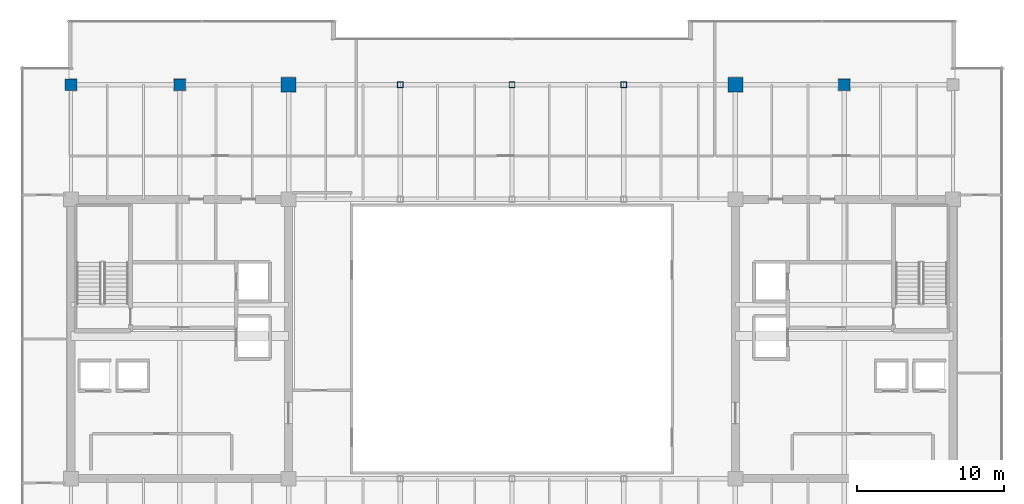
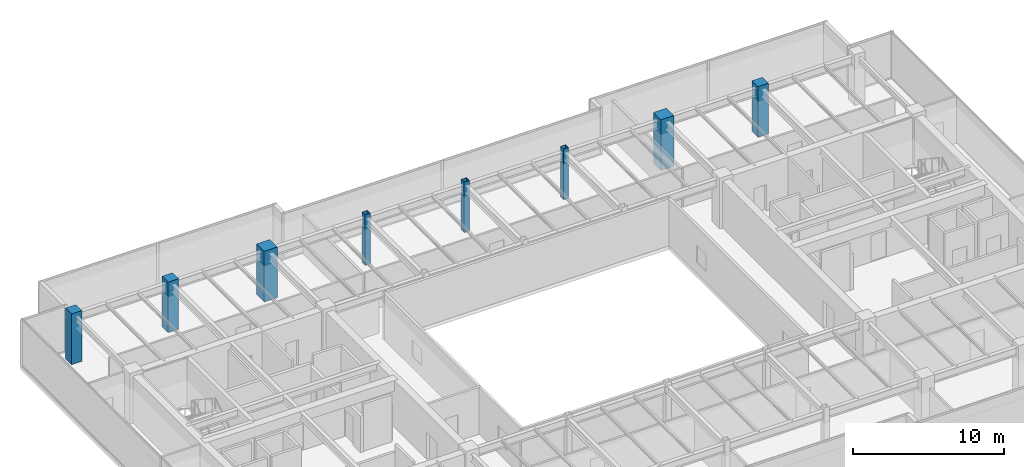
# One storey, part 3 of 36: 8 columns.
"""IFC4 building model written with IfcOpenShell, lengths in metres."""

from ifc_helpers import new_model, si_unit, direction, frame, origin, origin_2d, place, context, subcontext, project, spatial, rectangle, hollow_rectangle, extrude, source, transform, mapped, material, material_profile, profile_set, type_object, type_shapes, element, save


model = new_model("IFC4")

# Units and contexts
model_context = context("Model", 3, precision=1e-05, world=origin(), true_north=direction((0.0, 1.0)))
body_context = subcontext(model_context, "Body", "Model", "MODEL_VIEW")
ifc_project = project(units=[si_unit("LENGTHUNIT", "METRE"), si_unit("AREAUNIT", "SQUARE_METRE"), si_unit("VOLUMEUNIT", "CUBIC_METRE"), si_unit("PLANEANGLEUNIT", "RADIAN"), si_unit("MASSUNIT", "GRAM", prefix="KILO")], contexts=[model_context])

# Site, building, storey
site_placement = place(None, origin())
site = spatial("IfcSite", under=ifc_project, at=site_placement, CompositionType="ELEMENT")
building_placement = place(site_placement, origin())
building = spatial("IfcBuilding", under=site, at=building_placement, Name="Haelvirn Gate Laboratories", CompositionType="ELEMENT")
storey_placement = place(building_placement, frame((0.0, 0.0, 262.89990234375)))
storey = spatial("IfcBuildingStorey", under=building, at=storey_placement, Name="L63", CompositionType="ELEMENT", Elevation=262.89990234375)

# Columns
ifc_material_1 = material(Name="Concrete C60/75", Category="concrete")
ifc_material_profile_1 = material_profile(ifc_material_1, rectangle(XDim=1.0, YDim=1.0, at=origin_2d()), Name="RC-1000x1000")
ifc_profile_set_1 = profile_set([ifc_material_profile_1], Name="Concrete C60/75")
column_type_1 = type_object("IfcColumnType", Name="COL-RC-1000", PredefinedType="COLUMN", material=ifc_profile_set_1)
shared_shape_1 = source(origin(), body_context, "Body", "SweptSolid", [
    extrude(rectangle(XDim=1.0, YDim=1.0, at=origin_2d()), origin(), (0.0, 0.0, 1.0), 4.10009765625),
])
type_shapes(column_type_1, [shared_shape_1])
for number, where, z_axis, x_axis, name in (
    (1, (22.199951171875, 41.60009765625, 0.0), (0.0, 0.0, 1.0), (1.0, 0.0, 0.0), "L63 Column 4G"),
    (2, (52.60009765625, 41.60009765625, 0.0), (0.0, 0.0, 1.0), (1.0, 0.0, 0.0), "L63 Column 8G"),
):
    element("IfcColumn", number, at=place(storey_placement, frame(where, z_axis=z_axis, x_axis=x_axis)), inside=storey, type_object=column_type_1, Name=name, PredefinedType="COLUMN", context=body_context, shape_type="MappedRepresentation", body=[
        mapped(shared_shape_1, transform((0.0, 0.0, 0.0), scale=1.0)),
    ])
ifc_material_2 = material(Name="Concrete C50/60", Category="concrete")
ifc_material_profile_2 = material_profile(ifc_material_2, rectangle(XDim=0.800048828125, YDim=0.800048828125, at=origin_2d()), Name="RC-800x800")
ifc_profile_set_2 = profile_set([ifc_material_profile_2], Name="Concrete C50/60")
column_type_2 = type_object("IfcColumnType", Name="COL-RC-800", PredefinedType="COLUMN", material=ifc_profile_set_2)
shared_shape_2 = source(origin(), body_context, "Body", "SweptSolid", [
    extrude(rectangle(XDim=0.800048828125, YDim=0.800048828125, at=origin_2d()), origin(), (0.0, 0.0, 1.0), 4.10009765625),
])
type_shapes(column_type_2, [shared_shape_2])
for number, where, z_axis, x_axis, name in (
    (3, (14.800048828125, 41.60009765625, 0.0), (0.0, 0.0, 1.0), (1.0, 0.0, 0.0), "L63 Column 3G"),
    (4, (60.0, 41.60009765625, 0.0), (0.0, 0.0, 1.0), (1.0, 0.0, 0.0), "L63 Column 9G"),
    (5, (7.39990234375, 41.60009765625, 0.0), (0.0, 0.0, 1.0), (1.0, 0.0, 0.0), "L63 Column 2G"),
):
    element("IfcColumn", number, at=place(storey_placement, frame(where, z_axis=z_axis, x_axis=x_axis)), inside=storey, type_object=column_type_2, Name=name, PredefinedType="COLUMN", context=body_context, shape_type="MappedRepresentation", body=[
        mapped(shared_shape_2, transform((0.0, 0.0, 0.0), scale=1.0)),
    ])
ifc_material_3 = material(Name="Steel SM355", Category="steel")
ifc_material_profile_3 = material_profile(ifc_material_3, hollow_rectangle(XDim=0.39990234375, YDim=0.39990234375, WallThickness=0.01904296875, at=origin_2d()), Name="BOX-400x400x19")
ifc_profile_set_3 = profile_set([ifc_material_profile_3], Name="Steel SM355")
column_type_3 = type_object("IfcColumnType", Name="COL-BOX-400", PredefinedType="COLUMN", material=ifc_profile_set_3)
shared_shape_3 = source(origin(), body_context, "Body", "SweptSolid", [
    extrude(hollow_rectangle(XDim=0.39990234375, YDim=0.39990234375, WallThickness=0.01904296875, at=origin_2d()), origin(), (0.0, 0.0, 1.0), 4.10009765625),
])
type_shapes(column_type_3, [shared_shape_3])
for number, where, z_axis, x_axis, name in (
    (6, (29.800048828125, 41.60009765625, 0.0), (0.0, 0.0, 1.0), (1.0, 0.0, 0.0), "L63 Column 5G"),
    (7, (37.39990234375, 41.60009765625, 0.0), (0.0, 0.0, 1.0), (1.0, 0.0, 0.0), "L63 Column 6G"),
    (8, (45.0, 41.60009765625, 0.0), (0.0, 0.0, 1.0), (1.0, 0.0, 0.0), "L63 Column 7G"),
):
    element("IfcColumn", number, at=place(storey_placement, frame(where, z_axis=z_axis, x_axis=x_axis)), inside=storey, type_object=column_type_3, Name=name, PredefinedType="COLUMN", context=body_context, shape_type="MappedRepresentation", body=[
        mapped(shared_shape_3, transform((0.0, 0.0, 0.0), scale=1.0)),
    ])

save(model, "model.ifc")
